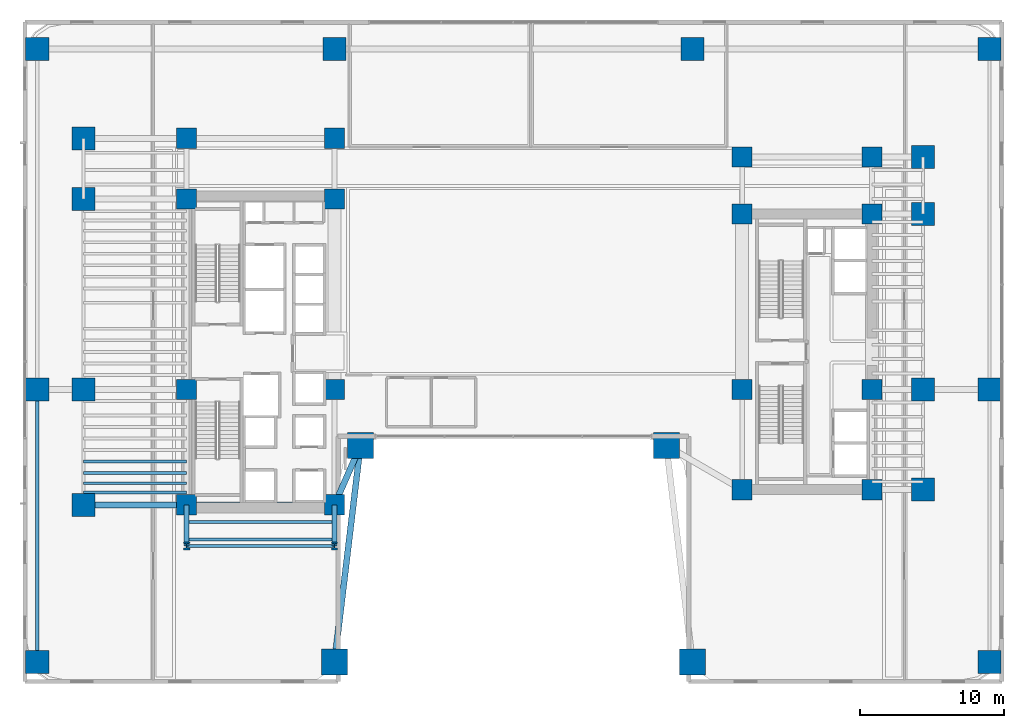
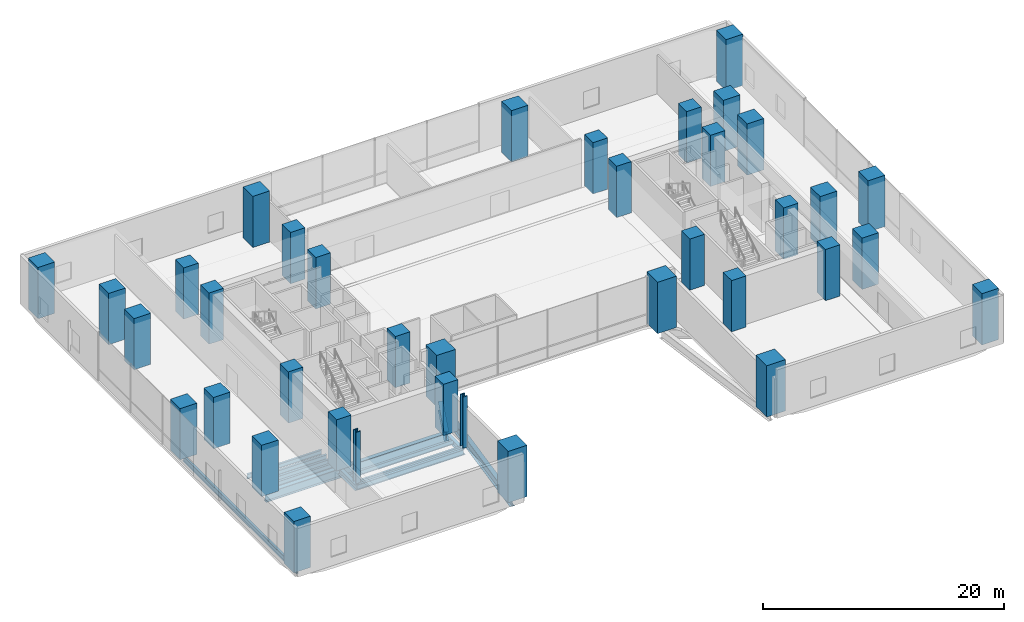
# One storey, part 1 of 39: 38 columns, 14 beams.
"""IFC4 building model written with IfcOpenShell, lengths in metres."""

from ifc_helpers import new_model, si_unit, direction, frame, origin, origin_2d, place, context, subcontext, project, spatial, rectangle, i_section, extrude, source, transform, mapped, material, material_profile, profile_set, type_object, element, save


model = new_model("IFC4")

# Units and contexts
model_context = context("Model", 3, precision=1e-05, world=origin(), true_north=direction((0.0, 1.0)))
body_context = subcontext(model_context, "Body", "Model", "MODEL_VIEW")
ifc_project = project(units=[si_unit("LENGTHUNIT", "METRE"), si_unit("AREAUNIT", "SQUARE_METRE"), si_unit("VOLUMEUNIT", "CUBIC_METRE"), si_unit("PLANEANGLEUNIT", "RADIAN"), si_unit("MASSUNIT", "GRAM", prefix="KILO")], contexts=[model_context])

# Site, building, storey
site_placement = place(None, origin())
site = spatial("IfcSite", under=ifc_project, at=site_placement, CompositionType="ELEMENT")
building_placement = place(site_placement, origin())
building = spatial("IfcBuilding", under=site, at=building_placement, Name="Valdorenza Pilgrim Sanctuary Tower", CompositionType="ELEMENT")
storey_placement = place(building_placement, frame((0.0, 0.0, 5.199951171875)))
storey = spatial("IfcBuildingStorey", under=building, at=storey_placement, Name="L01", CompositionType="ELEMENT", Elevation=5.199951171875)

# Columns
ifc_material_1 = material(Name="Concrete C60/75", Category="concrete")
ifc_material_profile_1 = material_profile(ifc_material_1, rectangle(XDim=1.60009765625, YDim=1.60009765625, at=origin_2d()), Name="RC 1600x1600")
ifc_profile_set_1 = profile_set([ifc_material_profile_1], Name="Concrete C60/75")
column_type_1 = type_object("IfcColumnType", Name="COL-POD-1600", PredefinedType="COLUMN", material=ifc_profile_set_1)
shared_shape_1 = source(origin(), body_context, "Body", "SweptSolid", [
    extrude(rectangle(XDim=1.60009765625, YDim=1.60009765625, at=origin_2d()), origin(), (0.0, 0.0, 1.0), 5.199951171875),
])
for number, where, z_axis, x_axis, name in (
    (1, (-29.800048828125, -10.60009765625, 0.0), (0.0, 0.0, 1.0), (1.0, 0.0, 0.0), "L01 Perimeter Column WA-W-S1"),
    (2, (-29.800048828125, -2.60009765625, 0.0), (0.0, 0.0, 1.0), (1.0, 0.0, 0.0), "L01 Perimeter Column WA-W-M0"),
    (3, (-29.800048828125, 10.60009765625, 0.0), (0.0, 0.0, 1.0), (1.0, 0.0, 0.0), "L01 Perimeter Column WA-W-N1"),
    (4, (-29.800048828125, 14.800048828125, 0.0), (0.0, 0.0, 1.0), (1.0, 0.0, 0.0), "L01 Perimeter Column WA-W-N2"),
    (5, (28.39990234375, -9.550048828125, 0.0), (0.0, 0.0, 1.0), (1.0, 0.0, 0.0), "L01 Perimeter Column WB-E-S1"),
    (6, (28.39990234375, -2.60009765625, 0.0), (0.0, 0.0, 1.0), (1.0, 0.0, 0.0), "L01 Perimeter Column WB-E-M0"),
    (7, (28.39990234375, 9.550048828125, 0.0), (0.0, 0.0, 1.0), (1.0, 0.0, 0.0), "L01 Perimeter Column WB-E-N1"),
    (8, (28.39990234375, 13.5, 0.0), (0.0, 0.0, 1.0), (1.0, 0.0, 0.0), "L01 Perimeter Column WB-E-N2"),
    (9, (-33.0, -21.5, 0.0), (0.0, 0.0, 1.0), (1.0, 0.0, 0.0), "L01 Perimeter Column POD-SW"),
    (10, (-33.0, -2.60009765625, 0.0), (0.0, 0.0, 1.0), (1.0, 0.0, 0.0), "L01 Perimeter Column POD-MW"),
    (11, (-33.0, 21.0, 0.0), (0.0, 0.0, 1.0), (1.0, 0.0, 0.0), "L01 Perimeter Column POD-NW"),
    (12, (-12.39990234375, 21.0, 0.0), (0.0, 0.0, 1.0), (1.0, 0.0, 0.0), "L01 Perimeter Column POD-NCW"),
    (13, (12.39990234375, 21.0, 0.0), (0.0, 0.0, 1.0), (1.0, 0.0, 0.0), "L01 Perimeter Column POD-NCE"),
    (14, (33.0, 21.0, 0.0), (0.0, 0.0, 1.0), (1.0, 0.0, 0.0), "L01 Perimeter Column POD-NE"),
    (15, (33.0, -2.60009765625, 0.0), (0.0, 0.0, 1.0), (1.0, 0.0, 0.0), "L01 Perimeter Column POD-ME"),
    (16, (33.0, -21.5, 0.0), (0.0, 0.0, 1.0), (1.0, 0.0, 0.0), "L01 Perimeter Column POD-SE"),
):
    element("IfcColumn", number, at=place(storey_placement, frame(where, z_axis=z_axis, x_axis=x_axis)), inside=storey, type_object=column_type_1, Name=name, PredefinedType="COLUMN", context=body_context, shape_type="MappedRepresentation", body=[
        mapped(shared_shape_1, transform((0.0, 0.0, 0.0), x_axis=(1.0, 0.0, 0.0), y_axis=(0.0, 1.0, 0.0), z_axis=(0.0, 0.0, 1.0), scale=1.0)),
    ])
ifc_material_profile_2 = material_profile(ifc_material_1, rectangle(XDim=1.39990234375, YDim=1.39990234375, at=origin_2d()), Name="RC 1400x1400")
ifc_profile_set_2 = profile_set([ifc_material_profile_2], Name="Concrete C60/75")
column_type_2 = type_object("IfcColumnType", Name="COL-Z1-1400", PredefinedType="COLUMN", material=ifc_profile_set_2)
shared_shape_2 = source(origin(), body_context, "Body", "SweptSolid", [
    extrude(rectangle(XDim=1.39990234375, YDim=1.39990234375, at=origin_2d()), origin(), (0.0, 0.0, 1.0), 5.199951171875),
])
for number, where, z_axis, x_axis, name in (
    (17, (-22.64990234375, -10.60009765625, 0.0), (0.0, 0.0, 1.0), (1.0, 0.0, 0.0), "L01 Column CA-W-S1"),
    (18, (-12.39990234375, -10.60009765625, 0.0), (0.0, 0.0, 1.0), (1.0, 0.0, 0.0), "L01 Column CA-E-S1"),
    (19, (-22.64990234375, -2.60009765625, 0.0), (0.0, 0.0, 1.0), (1.0, 0.0, 0.0), "L01 Column CA-W-M0"),
    (20, (-12.39990234375, -2.60009765625, 0.0), (0.0, 0.0, 1.0), (1.0, 0.0, 0.0), "L01 Column CA-E-M0"),
    (21, (-22.64990234375, 10.60009765625, 0.0), (0.0, 0.0, 1.0), (1.0, 0.0, 0.0), "L01 Column CA-W-N1"),
    (22, (-12.39990234375, 10.60009765625, 0.0), (0.0, 0.0, 1.0), (1.0, 0.0, 0.0), "L01 Column CA-E-N1"),
    (23, (-22.64990234375, 14.800048828125, 0.0), (0.0, 0.0, 1.0), (1.0, 0.0, 0.0), "L01 Column CA-W-N2"),
    (24, (-12.39990234375, 14.800048828125, 0.0), (0.0, 0.0, 1.0), (1.0, 0.0, 0.0), "L01 Column CA-E-N2"),
    (25, (15.85009765625, -9.550048828125, 0.0), (0.0, 0.0, 1.0), (1.0, 0.0, 0.0), "L01 Column CB-W-S1"),
    (26, (24.85009765625, -9.550048828125, 0.0), (0.0, 0.0, 1.0), (1.0, 0.0, 0.0), "L01 Column CB-E-S1"),
    (27, (15.85009765625, -2.60009765625, 0.0), (0.0, 0.0, 1.0), (1.0, 0.0, 0.0), "L01 Column CB-W-M0"),
    (28, (24.85009765625, -2.60009765625, 0.0), (0.0, 0.0, 1.0), (1.0, 0.0, 0.0), "L01 Column CB-E-M0"),
    (29, (15.85009765625, 9.550048828125, 0.0), (0.0, 0.0, 1.0), (1.0, 0.0, 0.0), "L01 Column CB-W-N1"),
    (30, (24.85009765625, 9.550048828125, 0.0), (0.0, 0.0, 1.0), (1.0, 0.0, 0.0), "L01 Column CB-E-N1"),
    (31, (15.85009765625, 13.5, 0.0), (0.0, 0.0, 1.0), (1.0, 0.0, 0.0), "L01 Column CB-W-N2"),
    (32, (24.85009765625, 13.5, 0.0), (0.0, 0.0, 1.0), (1.0, 0.0, 0.0), "L01 Column CB-E-N2"),
):
    element("IfcColumn", number, at=place(storey_placement, frame(where, z_axis=z_axis, x_axis=x_axis)), inside=storey, type_object=column_type_2, Name=name, PredefinedType="COLUMN", context=body_context, shape_type="MappedRepresentation", body=[
        mapped(shared_shape_2, transform((0.0, 0.0, 0.0), x_axis=(1.0, 0.0, 0.0), y_axis=(0.0, 1.0, 0.0), z_axis=(0.0, 0.0, 1.0), scale=1.0)),
    ])
ifc_material_2 = material(Name="Steel ASTM A992 Grade 50", Category="steel")
ifc_material_profile_3 = material_profile(ifc_material_2, i_section(OverallWidth=0.44189453125, OverallDepth=0.531005859375, WebThickness=0.06591796875, FlangeThickness=0.105712890625, at=origin_2d()), Name="W14X605")
ifc_profile_set_3 = profile_set([ifc_material_profile_3], Name="Steel ASTM A992 Grade 50")
column_type_3 = type_object("IfcColumnType", Name="COL-STL-W605", PredefinedType="COLUMN", material=ifc_profile_set_3)
shared_shape_3 = source(origin(), body_context, "Body", "SweptSolid", [
    extrude(i_section(OverallWidth=0.44189453125, OverallDepth=0.531005859375, WebThickness=0.06591796875, FlangeThickness=0.105712890625, at=origin_2d()), origin(), (0.0, 0.0, 1.0), 5.199951171875),
])
for number, where, z_axis, x_axis, name in (
    (33, (-22.64990234375, -13.449951171875, 0.0), (0.0, 0.0, 1.0), (1.0, 0.0, 0.0), "L01 Column WA-S-W"),
    (34, (-12.39990234375, -13.449951171875, 0.0), (0.0, 0.0, 1.0), (1.0, 0.0, 0.0), "L01 Column WA-S-E"),
):
    element("IfcColumn", number, at=place(storey_placement, frame(where, z_axis=z_axis, x_axis=x_axis)), inside=storey, type_object=column_type_3, Name=name, PredefinedType="COLUMN", context=body_context, shape_type="MappedRepresentation", body=[
        mapped(shared_shape_3, transform((0.0, 0.0, 0.0), x_axis=(1.0, 0.0, 0.0), y_axis=(0.0, 1.0, 0.0), z_axis=(0.0, 0.0, 1.0), scale=1.0)),
    ])
ifc_material_profile_4 = material_profile(ifc_material_1, rectangle(XDim=1.800048828125, YDim=1.800048828125, at=origin_2d()), Name="RC 1800x1800")
ifc_profile_set_4 = profile_set([ifc_material_profile_4], Name="Concrete C60/75")
column_type_4 = type_object("IfcColumnType", Name="COL-ARCH-1800", PredefinedType="COLUMN", material=ifc_profile_set_4)
shared_shape_4 = source(origin(), body_context, "Body", "SweptSolid", [
    extrude(rectangle(XDim=1.800048828125, YDim=1.800048828125, at=origin_2d()), origin(), (0.0, 0.0, 1.0), 5.199951171875),
])
for number, where, z_axis, x_axis, name in (
    (35, (-12.39990234375, -21.5, 0.0), (0.0, 0.0, 1.0), (1.0, 0.0, 0.0), "L01 Perimeter Column ARCH-PIER-SW"),
    (36, (-10.60009765625, -6.5, 0.0), (0.0, 0.0, 1.0), (1.0, 0.0, 0.0), "L01 Perimeter Column ARCH-PIER-NW"),
    (37, (12.39990234375, -21.5, 0.0), (0.0, 0.0, 1.0), (1.0, 0.0, 0.0), "L01 Perimeter Column ARCH-PIER-SE"),
    (38, (10.60009765625, -6.5, 0.0), (0.0, 0.0, 1.0), (1.0, 0.0, 0.0), "L01 Perimeter Column ARCH-PIER-NE"),
):
    element("IfcColumn", number, at=place(storey_placement, frame(where, z_axis=z_axis, x_axis=x_axis)), inside=storey, type_object=column_type_4, Name=name, PredefinedType="COLUMN", context=body_context, shape_type="MappedRepresentation", body=[
        mapped(shared_shape_4, transform((0.0, 0.0, 0.0), x_axis=(1.0, 0.0, 0.0), y_axis=(0.0, 1.0, 0.0), z_axis=(0.0, 0.0, 1.0), scale=1.0)),
    ])

# Beams
ifc_material_profile_5 = material_profile(ifc_material_2, i_section(OverallWidth=0.423095703125, OverallDepth=0.947998046875, WebThickness=0.02392578125, FlangeThickness=0.042724609375, at=origin_2d()), Name="W36X302")
ifc_profile_set_5 = profile_set([ifc_material_profile_5], Name="Steel ASTM A992 Grade 50")
beam_type_1 = type_object("IfcBeamType", Name="STR-BM-GRD-W36A", PredefinedType="BEAM", material=ifc_profile_set_5)
shared_shape_5 = source(origin(), body_context, "Body", "SweptSolid", [
    extrude(i_section(OverallWidth=0.423095703125, OverallDepth=0.947998046875, WebThickness=0.02392578125, FlangeThickness=0.042724609375, at=origin_2d()), origin(), (0.0, 0.0, 1.0), 7.150146484375),
])
beam_1_placement = place(storey_placement, frame((-29.800048828125, -10.60009765625, -0.75390625), z_axis=(1.0, 0.0, 0.0), x_axis=(0.0, 1.0, 0.0)))
element("IfcBeam", 39, at=beam_1_placement, inside=storey, type_object=beam_type_1, Name="L01 Floor Girder WA-XW-S1", PredefinedType="BEAM", context=body_context, shape_type="MappedRepresentation", body=[
    mapped(shared_shape_5, transform((0.0, 0.0, 0.0), x_axis=(1.0, 0.0, 0.0), y_axis=(0.0, 1.0, 0.0), z_axis=(0.0, 0.0, 1.0), scale=1.0)),
])
shared_shape_6 = source(origin(), body_context, "Body", "SweptSolid", [
    extrude(i_section(OverallWidth=0.423095703125, OverallDepth=0.947998046875, WebThickness=0.02392578125, FlangeThickness=0.042724609375, at=origin_2d()), origin(), (0.0, 0.0, 1.0), 10.25),
])
beam_2_placement = place(storey_placement, frame((-22.64990234375, -10.60009765625, -0.75390625), z_axis=(1.0, 0.0, 0.0), x_axis=(0.0, 1.0, 0.0)))
element("IfcBeam", 40, at=beam_2_placement, inside=storey, type_object=beam_type_1, Name="L01 Floor Girder CA-XC-S1", PredefinedType="BEAM", context=body_context, shape_type="MappedRepresentation", body=[
    mapped(shared_shape_6, transform((0.0, 0.0, 0.0), x_axis=(1.0, 0.0, 0.0), y_axis=(0.0, 1.0, 0.0), z_axis=(0.0, 0.0, 1.0), scale=1.0)),
])
ifc_material_profile_6 = material_profile(ifc_material_2, i_section(OverallWidth=0.214111328125, OverallDepth=0.549072265625, WebThickness=0.0146484375, FlangeThickness=0.023681640625, at=origin_2d()), Name="W21X93")
ifc_profile_set_6 = profile_set([ifc_material_profile_6], Name="Steel ASTM A992 Grade 50")
beam_type_2 = type_object("IfcBeamType", Name="STR-BM-SPN-W21A", PredefinedType="SPANDREL", material=ifc_profile_set_6)
shared_shape_7 = source(origin(), body_context, "Body", "SweptSolid", [
    extrude(i_section(OverallWidth=0.214111328125, OverallDepth=0.549072265625, WebThickness=0.0146484375, FlangeThickness=0.023681640625, at=origin_2d()), origin(), (0.0, 0.0, 1.0), 10.25),
])
beam_3_placement = place(storey_placement, frame((-22.64990234375, -13.449951171875, -0.554443359375), z_axis=(1.0, 0.0, 0.0), x_axis=(0.0, 1.0, 0.0)))
element("IfcBeam", 41, at=beam_3_placement, inside=storey, type_object=beam_type_2, Name="L01 South Spandrel WA-S-TIE", PredefinedType="SPANDREL", context=body_context, shape_type="MappedRepresentation", body=[
    mapped(shared_shape_7, transform((0.0, 0.0, 0.0), x_axis=(1.0, 0.0, 0.0), y_axis=(0.0, 1.0, 0.0), z_axis=(0.0, 0.0, 1.0), scale=1.0)),
])
ifc_material_profile_7 = material_profile(ifc_material_2, i_section(OverallWidth=0.323974609375, OverallDepth=0.611083984375, WebThickness=0.0126953125, FlangeThickness=0.01904296875, at=origin_2d()), Name="W24X104")
ifc_profile_set_7 = profile_set([ifc_material_profile_7], Name="Steel ASTM A992 Grade 50")
beam_type_3 = type_object("IfcBeamType", Name="STR-BM-GRD-W24B", PredefinedType="BEAM", material=ifc_profile_set_7)
shared_shape_8 = source(origin(), body_context, "Body", "SweptSolid", [
    extrude(i_section(OverallWidth=0.323974609375, OverallDepth=0.611083984375, WebThickness=0.0126953125, FlangeThickness=0.01904296875, at=origin_2d()), origin(), (0.0, 0.0, 1.0), 2.849853515625),
])
for number, where, z_axis, x_axis, name in (
    (42, (-22.64990234375, -13.449951171875, -0.58544921875), (0.0, 1.0, 0.0), (-1.0, 0.0, 0.0), "L01 Floor Girder WA-S-LW"),
    (43, (-12.39990234375, -13.449951171875, -0.58544921875), (0.0, 1.0, 0.0), (-1.0, 0.0, 0.0), "L01 Floor Girder WA-S-LE"),
):
    element("IfcBeam", number, at=place(storey_placement, frame(where, z_axis=z_axis, x_axis=x_axis)), inside=storey, type_object=beam_type_3, Name=name, PredefinedType="BEAM", context=body_context, shape_type="MappedRepresentation", body=[
        mapped(shared_shape_8, transform((0.0, 0.0, 0.0), x_axis=(1.0, 0.0, 0.0), y_axis=(0.0, 1.0, 0.0), z_axis=(0.0, 0.0, 1.0), scale=1.0)),
    ])
ifc_material_profile_8 = material_profile(ifc_material_2, i_section(OverallWidth=0.193115234375, OverallDepth=0.466064453125, WebThickness=0.011474609375, FlangeThickness=0.01904296875, at=origin_2d()), Name="W18X65")
ifc_profile_set_8 = profile_set([ifc_material_profile_8], Name="Steel ASTM A992 Grade 50")
beam_type_4 = type_object("IfcBeamType", Name="STR-BM-JST-W18A", PredefinedType="JOIST", material=ifc_profile_set_8)
shared_shape_9 = source(origin(), body_context, "Body", "SweptSolid", [
    extrude(i_section(OverallWidth=0.193115234375, OverallDepth=0.466064453125, WebThickness=0.011474609375, FlangeThickness=0.01904296875, at=origin_2d()), origin(), (0.0, 0.0, 1.0), 10.25),
])
for number, where, z_axis, x_axis, name in (
    (44, (-22.64990234375, -13.0, -0.512939453125), (1.0, 0.0, 0.0), (0.0, 1.0, 0.0), "L01 Composite Floor Joist JST-WAS-1"),
    (45, (-22.64990234375, -11.800048828125, -0.512939453125), (1.0, 0.0, 0.0), (0.0, 1.0, 0.0), "L01 Composite Floor Joist JST-WAS-2"),
):
    element("IfcBeam", number, at=place(storey_placement, frame(where, z_axis=z_axis, x_axis=x_axis)), inside=storey, type_object=beam_type_4, Name=name, PredefinedType="JOIST", context=body_context, shape_type="MappedRepresentation", body=[
        mapped(shared_shape_9, transform((0.0, 0.0, 0.0), x_axis=(1.0, 0.0, 0.0), y_axis=(0.0, 1.0, 0.0), z_axis=(0.0, 0.0, 1.0), scale=1.0)),
    ])
shared_shape_10 = source(origin(), body_context, "Body", "SweptSolid", [
    extrude(i_section(OverallWidth=0.193115234375, OverallDepth=0.466064453125, WebThickness=0.011474609375, FlangeThickness=0.01904296875, at=origin_2d()), origin(), (0.0, 0.0, 1.0), 7.150146484375),
])
for number, where, z_axis, x_axis, name in (
    (46, (-29.800048828125, -9.75, -0.512939453125), (1.0, 0.0, 0.0), (0.0, 1.0, 0.0), "L01 Composite Floor Joist JST-WA-1"),
    (47, (-29.800048828125, -9.10009765625, -0.512939453125), (1.0, 0.0, 0.0), (0.0, 1.0, 0.0), "L01 Composite Floor Joist JST-WA-2"),
    (48, (-29.800048828125, -8.39990234375, -0.512939453125), (1.0, 0.0, 0.0), (0.0, 1.0, 0.0), "L01 Composite Floor Joist JST-WA-3"),
    (49, (-29.800048828125, -7.60009765625, -0.512939453125), (1.0, 0.0, 0.0), (0.0, 1.0, 0.0), "L01 Composite Floor Joist JST-WA-4"),
):
    element("IfcBeam", number, at=place(storey_placement, frame(where, z_axis=z_axis, x_axis=x_axis)), inside=storey, type_object=beam_type_4, Name=name, PredefinedType="JOIST", context=body_context, shape_type="MappedRepresentation", body=[
        mapped(shared_shape_10, transform((0.0, 0.0, 0.0), x_axis=(1.0, 0.0, 0.0), y_axis=(0.0, 1.0, 0.0), z_axis=(0.0, 0.0, 1.0), scale=1.0)),
    ])
shared_shape_11 = source(origin(), body_context, "Body", "SweptSolid", [
    extrude(i_section(OverallWidth=0.214111328125, OverallDepth=0.549072265625, WebThickness=0.0146484375, FlangeThickness=0.023681640625, at=origin_2d()), origin(), (0.0, 0.0, 1.0), 18.89990234375),
])
beam_4_placement = place(storey_placement, frame((-33.0, -21.5, -0.554443359375), z_axis=(0.0, 1.0, 0.0), x_axis=(-1.0, 0.0, 0.0)))
element("IfcBeam", 50, at=beam_4_placement, inside=storey, type_object=beam_type_2, Name="L01 Floor Girder POD-SPN-WS", PredefinedType="SPANDREL", context=body_context, shape_type="MappedRepresentation", body=[
    mapped(shared_shape_11, transform((0.0, 0.0, 0.0), x_axis=(1.0, 0.0, 0.0), y_axis=(0.0, 1.0, 0.0), z_axis=(0.0, 0.0, 1.0), scale=1.0)),
])
shared_shape_12 = source(origin(), body_context, "Body", "SweptSolid", [
    extrude(i_section(OverallWidth=0.423095703125, OverallDepth=0.947998046875, WebThickness=0.02392578125, FlangeThickness=0.042724609375, at=origin_2d()), origin(), (0.0, 0.0, 1.0), 15.107666015625),
])
beam_5_placement = place(storey_placement, frame((-12.39990234375, -21.5, -0.75390625), z_axis=(0.119132476027, 0.992878367755, 0.0), x_axis=(-0.992878367755, 0.119132476027, 0.0)))
element("IfcBeam", 51, at=beam_5_placement, inside=storey, type_object=beam_type_1, Name="L01 Floor Girder POD-ARCH-W", PredefinedType="BEAM", context=body_context, shape_type="MappedRepresentation", body=[
    mapped(shared_shape_12, transform((0.0, 0.0, 0.0), x_axis=(1.0, 0.0, 0.0), y_axis=(0.0, 1.0, 0.0), z_axis=(0.0, 0.0, 1.0), scale=1.0)),
])
shared_shape_13 = source(origin(), body_context, "Body", "SweptSolid", [
    extrude(i_section(OverallWidth=0.423095703125, OverallDepth=0.947998046875, WebThickness=0.02392578125, FlangeThickness=0.042724609375, at=origin_2d()), origin(), (0.0, 0.0, 1.0), 4.477783203125),
])
beam_6_placement = place(storey_placement, frame((-10.60009765625, -6.5, -0.75390625), z_axis=(-0.40194546398, -0.91566360853, 0.0), x_axis=(0.91566360853, -0.40194546398, 0.0)))
element("IfcBeam", 52, at=beam_6_placement, inside=storey, type_object=beam_type_1, Name="L01 Floor Girder POD-ARCH-N", PredefinedType="BEAM", context=body_context, shape_type="MappedRepresentation", body=[
    mapped(shared_shape_13, transform((0.0, 0.0, 0.0), x_axis=(1.0, 0.0, 0.0), y_axis=(0.0, 1.0, 0.0), z_axis=(0.0, 0.0, 1.0), scale=1.0)),
])

save(model, "model.ifc")
